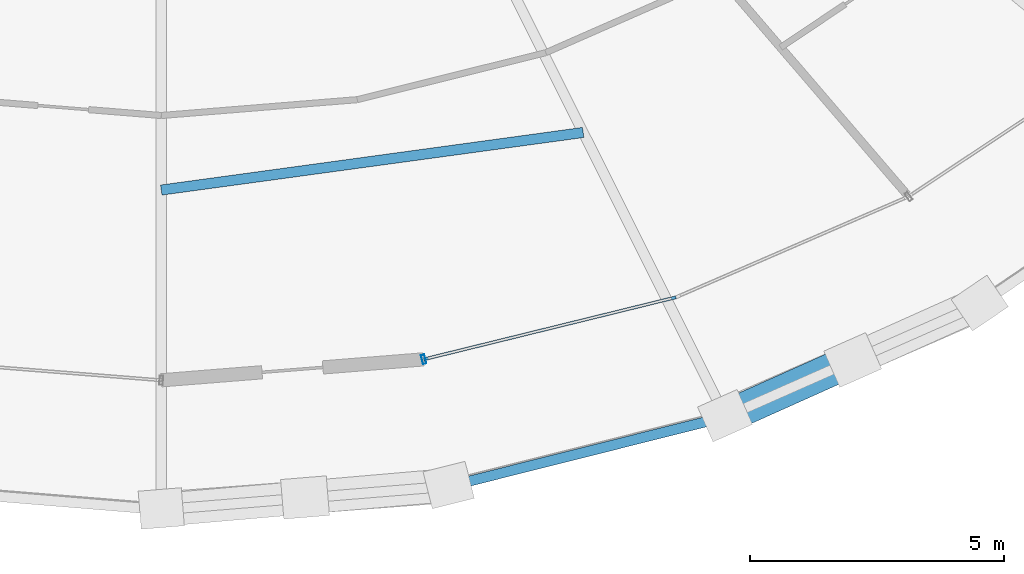
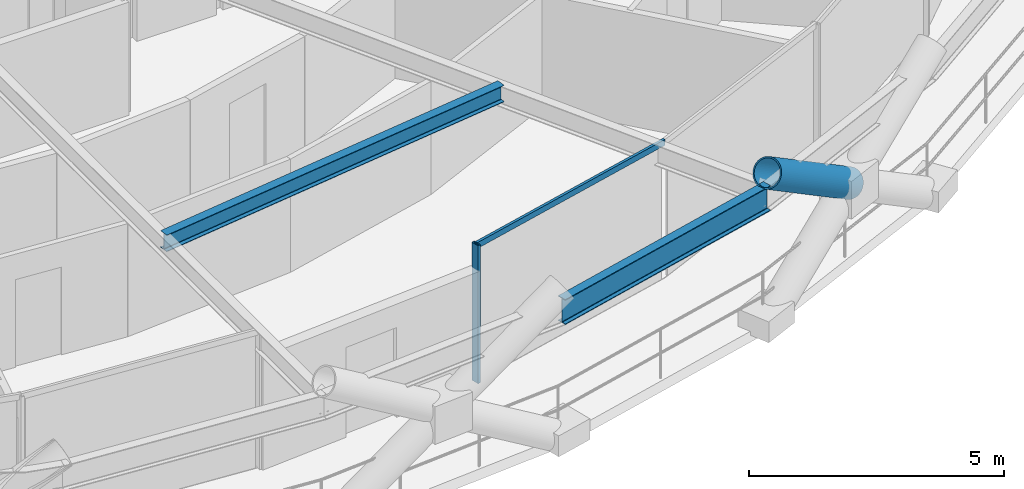
# One storey, part 7 of 21: 3 members, 2 beams, 1 element without a shape of its own.
"""IFC4 building model written with IfcOpenShell, lengths in metres."""

from ifc_helpers import new_model, si_unit, direction, frame, origin, origin_2d, place, context, subcontext, project, spatial, hollow_rectangle, hollow_circle, i_section, extrude, material, layer, layer_set, material_profile, profile_set, type_object, element, aggregate, save


model = new_model("IFC4")

# Units and contexts
model_context = context("Model", 3, precision=1e-05, world=origin(), true_north=direction((0.0, 1.0)))
body_context = subcontext(model_context, "Body", "Model", "MODEL_VIEW")
ifc_project = project(units=[si_unit("LENGTHUNIT", "METRE"), si_unit("AREAUNIT", "SQUARE_METRE"), si_unit("VOLUMEUNIT", "CUBIC_METRE"), si_unit("PLANEANGLEUNIT", "RADIAN"), si_unit("MASSUNIT", "GRAM", prefix="KILO")], contexts=[model_context])

# Site, building, storey
site_placement = place(None, origin())
site = spatial("IfcSite", under=ifc_project, at=site_placement, CompositionType="ELEMENT")
building_placement = place(site_placement, origin())
building = spatial("IfcBuilding", under=site, at=building_placement, Name="Veldorina Hangang Commons", CompositionType="ELEMENT")
storey_placement = place(building_placement, frame((0.0, 0.0, 73.60009765625)))
storey = spatial("IfcBuildingStorey", under=building, at=storey_placement, Name="L18", CompositionType="ELEMENT", Elevation=73.60009765625)

# Beams
ifc_material_1 = material(Name="Steel SM355-TMC", Category="steel")
ifc_material_profile_1 = material_profile(ifc_material_1, i_section(OverallWidth=0.199951171875, OverallDepth=0.39990234375, WebThickness=0.008056640625, FlangeThickness=0.012939453125, FilletRadius=0.012939453125, at=origin_2d()), Name="H-400x200x8x13")
ifc_profile_set_1 = profile_set([ifc_material_profile_1], Name="Steel SM355-TMC")
beam_type_1 = type_object("IfcBeamType", Name="BM-JST400", PredefinedType="JOIST", material=ifc_profile_set_1)
beam_1_placement = place(storey_placement, frame((32.0, 6.297607421875, 3.139892578125), z_axis=(0.990813833767, 0.135232935397, 0.0), x_axis=(-0.135232935397, 0.990813833767, 0.0)))
element("IfcBeam", 1, at=beam_1_placement, inside=storey, type_object=beam_type_1, Name="L18 secondary floor joist 13", PredefinedType="JOIST", context=body_context, shape_type="SweptSolid", body=[
    extrude(i_section(OverallWidth=0.199951171875, OverallDepth=0.39990234375, WebThickness=0.008056640625, FlangeThickness=0.012939453125, FilletRadius=0.012939453125, at=origin_2d()), origin(), (0.0, 0.0, 1.0), 8.371337890625),
])
ifc_material_2 = material(Name="Steel SM420-TMC", Category="steel")
ifc_material_profile_2 = material_profile(ifc_material_2, i_section(OverallWidth=0.199951171875, OverallDepth=0.60009765625, WebThickness=0.010986328125, FlangeThickness=0.01708984375, FilletRadius=0.01806640625, at=origin_2d()), Name="H-600x200x11x17")
ifc_profile_set_2 = profile_set([ifc_material_profile_2], Name="Steel SM420-TMC")
beam_type_2 = type_object("IfcBeamType", Name="BM-RB600", PredefinedType="BEAM", material=ifc_profile_set_2)
beam_2_placement = place(storey_placement, frame((37.65478515625, 0.474609375, 3.039794921875), z_axis=(0.969908950764, 0.243467918274, 0.0), x_axis=(-0.243467918274, 0.969908950764, 0.0)))
element("IfcBeam", 2, at=beam_2_placement, inside=storey, type_object=beam_type_2, Name="L18 perimeter hoop ring beam 25", PredefinedType="BEAM", context=body_context, shape_type="SweptSolid", body=[
    extrude(i_section(OverallWidth=0.199951171875, OverallDepth=0.60009765625, WebThickness=0.010986328125, FlangeThickness=0.01708984375, FilletRadius=0.01806640625, at=origin_2d()), origin(), (0.0, 0.0, 1.0), 5.6064453125),
])

# Curtain wall, members
ifc_material_3 = material(Name="Glass Low-E Triple IGU", Category="glass")
ifc_layer = layer(ifc_material_3, 0.179931640625)
ifc_layer_set = layer_set([ifc_layer], Name="Glass Low-E Triple IGU")
curtain_wall_type = type_object("IfcCurtainWallType", Name="CW-SYS-Z1", PredefinedType="NOTDEFINED", material=ifc_layer_set)
curtain_wall_placement = place(storey_placement, origin())
curtain_wall = element("IfcCurtainWall", 3, at=curtain_wall_placement, inside=storey, type_object=curtain_wall_type, Name="L18 unitised curtain wall CW-L18-R2", PredefinedType="NOTDEFINED")
ifc_material_4 = material(Name="Aluminium Anodized AA6063-T6", Category="aluminium")
ifc_material_profile_3 = material_profile(ifc_material_4, hollow_rectangle(XDim=0.070068359375, YDim=0.179931640625, WallThickness=0.00390625, at=origin_2d()), Name="ALU-RHS-180x70x4")
ifc_profile_set_3 = profile_set([ifc_material_profile_3], Name="Aluminium Anodized AA6063-T6")
member_type_1 = type_object("IfcMemberType", Name="CW-MUL-180", PredefinedType="MULLION", material=ifc_profile_set_3)
member_1_placement = place(storey_placement, frame((37.15869140625, 2.969482421875, 0.0), z_axis=(0.0, 0.0, 1.0), x_axis=(0.971050956862, 0.238872432853, 0.0)))
member_1 = element("IfcMember", 4, at=member_1_placement, type_object=member_type_1, Name="CW-L18-R2 vertical mullion 1", PredefinedType="MULLION", context=body_context, shape_type="SweptSolid", body=[
    extrude(hollow_rectangle(XDim=0.070068359375, YDim=0.179931640625, WallThickness=0.00390625, at=origin_2d()), origin(), (0.0, 0.0, 1.0), 3.2998046875),
])
ifc_material_profile_4 = material_profile(ifc_material_4, hollow_rectangle(XDim=0.06005859375, YDim=0.139892578125, WallThickness=0.00341796875, at=origin_2d()), Name="ALU-RHS-140x60x3.5")
ifc_profile_set_4 = profile_set([ifc_material_profile_4], Name="Aluminium Anodized AA6063-T6")
member_type_2 = type_object("IfcMemberType", Name="CW-TRN-140", PredefinedType="USERDEFINED", material=ifc_profile_set_4)
member_2_placement = place(storey_placement, frame((37.15869140625, 2.969482421875, 3.260009765625), z_axis=(0.9710520689, 0.238867912214, 0.0), x_axis=(-0.238867912214, 0.9710520689, 0.0)))
member_2 = element("IfcMember", 5, at=member_2_placement, type_object=member_type_2, Name="CW-L18-R2 facet 1 transom 1", ObjectType="TRANSOM", PredefinedType="USERDEFINED", context=body_context, shape_type="SweptSolid", body=[
    extrude(hollow_rectangle(XDim=0.06005859375, YDim=0.139892578125, WallThickness=0.00341796875, at=origin_2d()), origin(), (0.0, 0.0, 1.0), 5.1083984375),
])
aggregate(curtain_wall, [member_1, member_2])

# Member
ifc_material_5 = material(Name="Steel SM460-TMC", Category="steel")
ifc_material_profile_5 = material_profile(ifc_material_5, hollow_circle(Radius=0.324951171875, WallThickness=0.031982421875, at=origin_2d()), Name="CHS-650x32")
ifc_profile_set_5 = profile_set([ifc_material_profile_5], Name="Steel SM460-TMC")
member_type_3 = type_object("IfcMemberType", Name="DG-CHS650", PredefinedType="BRACE", material=ifc_profile_set_5)
member_3_placement = place(storey_placement, frame((45.593505859375, 2.95654296875, 1.799072265625), z_axis=(-0.762430642787, -0.341928209538, 0.54934926455), x_axis=(0.409204334102, -0.912442772426, 0.0)))
element("IfcMember", 6, at=member_3_placement, inside=storey, type_object=member_type_3, Name="L18 split perimeter diagrid upper brace 27", PredefinedType="BRACE", context=body_context, shape_type="SweptSolid", body=[
    extrude(hollow_circle(Radius=0.324951171875, WallThickness=0.031982421875, at=origin_2d()), origin(), (0.0, 0.0, 1.0), 3.278076171875),
])

save(model, "model.ifc")
